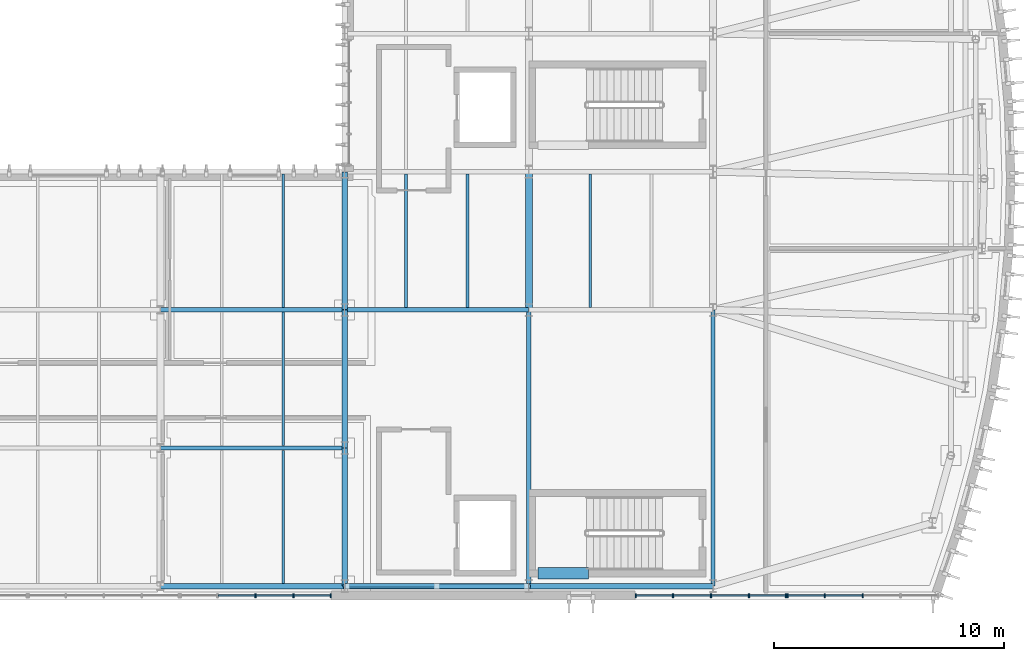
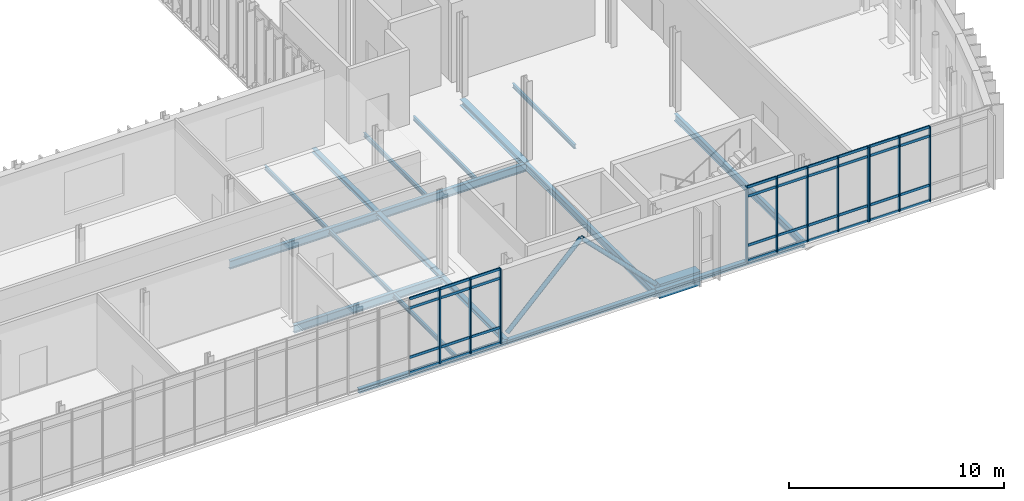
# One storey, part 43 of 100: 49 members, 19 beams, 3 elements without a shape of their own.
"""IFC4 building model written with IfcOpenShell, lengths in metres."""

from ifc_helpers import new_model, si_unit, direction, frame, origin, origin_2d, place, context, subcontext, project, spatial, rectangle, hollow_circle, i_section, extrude, material, material_profile, profile_set, type_object, element, aggregate, save


model = new_model("IFC4")

# Units and contexts
model_context = context("Model", 3, precision=1e-05, world=origin(), true_north=direction((0.0, 1.0)))
body_context = subcontext(model_context, "Body", "Model", "MODEL_VIEW")
ifc_project = project(units=[si_unit("LENGTHUNIT", "METRE"), si_unit("AREAUNIT", "SQUARE_METRE"), si_unit("VOLUMEUNIT", "CUBIC_METRE"), si_unit("PLANEANGLEUNIT", "RADIAN"), si_unit("MASSUNIT", "GRAM", prefix="KILO")], contexts=[model_context])

# Site, building, storey
site_placement = place(None, origin())
site = spatial("IfcSite", under=ifc_project, at=site_placement, CompositionType="ELEMENT")
building_placement = place(site_placement, origin())
building = spatial("IfcBuilding", under=site, at=building_placement, Name="Cymarion Research Institute", CompositionType="ELEMENT")
storey_placement = place(building_placement, frame((0.0, 0.0, 9.300048828125)))
storey = spatial("IfcBuildingStorey", under=building, at=storey_placement, Name="L02", CompositionType="ELEMENT", Elevation=9.300048828125)

# Beam
ifc_material_1 = material(Name="Concrete C40/50", Category="concrete")
ifc_material_profile_1 = material_profile(ifc_material_1, rectangle(XDim=0.5, YDim=0.800048828125, at=origin_2d()), Name="RC 500x800")
ifc_profile_set_1 = profile_set([ifc_material_profile_1], Name="Concrete C40/50")
beam_type_1 = type_object("IfcBeamType", Name="COUPLING LINTEL LN03 RC 500x800", PredefinedType="LINTEL", material=ifc_profile_set_1)
beam_1_placement = place(storey_placement, frame((147.0, 6.050048828125, -0.670166015625), z_axis=(1.0, 0.0, 0.0), x_axis=(0.0, 1.0, 0.0)))
element("IfcBeam", 1, at=beam_1_placement, inside=storey, type_object=beam_type_1, Name="L02 C1 core coupling lintel LN03", PredefinedType="LINTEL", context=body_context, shape_type="SweptSolid", body=[
    extrude(rectangle(XDim=0.5, YDim=0.800048828125, at=origin_2d()), origin(), (0.0, 0.0, 1.0), 2.199951171875),
])

# Curtain wall, members
ifc_material_2 = material(Name="Anodised aluminium unitised curtain wall with Low-E glazing", Category="aluminium")
curtain_wall_type = type_object("IfcCurtainWallType", Name="UNITISED CURTAIN WALL CW01 6590X4250", PredefinedType="NOTDEFINED", material=ifc_material_2)
curtain_wall_1_placement = place(storey_placement, origin())
curtain_wall_1 = element("IfcCurtainWall", 2, at=curtain_wall_1_placement, inside=storey, type_object=curtain_wall_type, Name="L02 V1 unitised curtain wall CW01 #64", PredefinedType="NOTDEFINED")
ifc_material_3 = material(Name="Anodised aluminium framing", Category="aluminium")
ifc_material_profile_2 = material_profile(ifc_material_3, rectangle(XDim=0.06005859375, YDim=0.179931640625, at=origin_2d()), Name="ALU MULLION 60x180")
ifc_profile_set_2 = profile_set([ifc_material_profile_2], Name="Anodised aluminium framing")
member_type_1 = type_object("IfcMemberType", Name="CURTAIN WALL MULLION ML01 60X180", PredefinedType="MULLION", material=ifc_profile_set_2)
member_1_placement = place(storey_placement, frame((134.73095703125, 5.090087890625, 0.0), z_axis=(0.0, 0.0, 1.0), x_axis=(1.0, 0.0, 0.0)))
member_1 = element("IfcMember", 3, at=member_1_placement, type_object=member_type_1, Name="CW01 mullion 3", PredefinedType="MULLION", context=body_context, shape_type="SweptSolid", body=[
    extrude(rectangle(XDim=0.06005859375, YDim=0.179931640625, at=origin_2d()), origin(), (0.0, 0.0, 1.0), 4.25),
])
member_2_placement = place(storey_placement, frame((136.37939453125, 5.090087890625, 0.0), z_axis=(0.0, 0.0, 1.0), x_axis=(1.0, 0.0, 0.0)))
member_2 = element("IfcMember", 4, at=member_2_placement, type_object=member_type_1, Name="CW01 mullion 4", PredefinedType="MULLION", context=body_context, shape_type="SweptSolid", body=[
    extrude(rectangle(XDim=0.06005859375, YDim=0.179931640625, at=origin_2d()), origin(), (0.0, 0.0, 1.0), 4.25),
])
member_3_placement = place(storey_placement, frame((137.99755859375, 5.090087890625, 0.0), z_axis=(0.0, 0.0, 1.0), x_axis=(1.0, 0.0, 0.0)))
member_3 = element("IfcMember", 5, at=member_3_placement, type_object=member_type_1, Name="CW01 mullion 5", PredefinedType="MULLION", context=body_context, shape_type="SweptSolid", body=[
    extrude(rectangle(XDim=0.06005859375, YDim=0.179931640625, at=origin_2d()), origin(), (0.0, 0.0, 1.0), 4.25),
])

curtain_wall_2_placement = place(storey_placement, origin())
curtain_wall_2 = element("IfcCurtainWall", 6, at=curtain_wall_2_placement, inside=storey, type_object=curtain_wall_type, Name="L02 V1 unitised curtain wall CW01 #65", PredefinedType="NOTDEFINED")
member_4_placement = place(storey_placement, frame((151.243896484375, 5.090087890625, 0.0), z_axis=(0.0, 0.0, 1.0), x_axis=(1.0, 0.0, 0.0)))
member_4 = element("IfcMember", 7, at=member_4_placement, type_object=member_type_1, Name="CW01 mullion 1", PredefinedType="MULLION", context=body_context, shape_type="SweptSolid", body=[
    extrude(rectangle(XDim=0.06005859375, YDim=0.179931640625, at=origin_2d()), origin(), (0.0, 0.0, 1.0), 4.25),
])
member_5_placement = place(storey_placement, frame((152.862060546875, 5.090087890625, 0.0), z_axis=(0.0, 0.0, 1.0), x_axis=(1.0, 0.0, 0.0)))
member_5 = element("IfcMember", 8, at=member_5_placement, type_object=member_type_1, Name="CW01 mullion 2", PredefinedType="MULLION", context=body_context, shape_type="SweptSolid", body=[
    extrude(rectangle(XDim=0.06005859375, YDim=0.179931640625, at=origin_2d()), origin(), (0.0, 0.0, 1.0), 4.25),
])
member_6_placement = place(storey_placement, frame((154.51025390625, 5.090087890625, 0.0), z_axis=(0.0, 0.0, 1.0), x_axis=(1.0, 0.0, 0.0)))
member_6 = element("IfcMember", 9, at=member_6_placement, type_object=member_type_1, Name="CW01 mullion 3", PredefinedType="MULLION", context=body_context, shape_type="SweptSolid", body=[
    extrude(rectangle(XDim=0.06005859375, YDim=0.179931640625, at=origin_2d()), origin(), (0.0, 0.0, 1.0), 4.25),
])
member_7_placement = place(storey_placement, frame((156.15869140625, 5.090087890625, 0.0), z_axis=(0.0, 0.0, 1.0), x_axis=(1.0, 0.0, 0.0)))
member_7 = element("IfcMember", 10, at=member_7_placement, type_object=member_type_1, Name="CW01 mullion 4", PredefinedType="MULLION", context=body_context, shape_type="SweptSolid", body=[
    extrude(rectangle(XDim=0.06005859375, YDim=0.179931640625, at=origin_2d()), origin(), (0.0, 0.0, 1.0), 4.25),
])
member_8_placement = place(storey_placement, frame((157.77685546875, 5.090087890625, 0.0), z_axis=(0.0, 0.0, 1.0), x_axis=(1.0, 0.0, 0.0)))
member_8 = element("IfcMember", 11, at=member_8_placement, type_object=member_type_1, Name="CW01 mullion 5", PredefinedType="MULLION", context=body_context, shape_type="SweptSolid", body=[
    extrude(rectangle(XDim=0.06005859375, YDim=0.179931640625, at=origin_2d()), origin(), (0.0, 0.0, 1.0), 4.25),
])

curtain_wall_3_placement = place(storey_placement, origin())
curtain_wall_3 = element("IfcCurtainWall", 12, at=curtain_wall_3_placement, inside=storey, type_object=curtain_wall_type, Name="L02 V1 unitised curtain wall CW01 #66", PredefinedType="NOTDEFINED")
member_9_placement = place(storey_placement, frame((157.8369140625, 5.090087890625, 0.0), z_axis=(0.0, 0.0, 1.0), x_axis=(1.0, 0.0, 0.0)))
member_9 = element("IfcMember", 13, at=member_9_placement, type_object=member_type_1, Name="CW01 mullion 1", PredefinedType="MULLION", context=body_context, shape_type="SweptSolid", body=[
    extrude(rectangle(XDim=0.06005859375, YDim=0.179931640625, at=origin_2d()), origin(), (0.0, 0.0, 1.0), 4.25),
])
member_10_placement = place(storey_placement, frame((159.455078125, 5.090087890625, 0.0), z_axis=(0.0, 0.0, 1.0), x_axis=(1.0, 0.0, 0.0)))
member_10 = element("IfcMember", 14, at=member_10_placement, type_object=member_type_1, Name="CW01 mullion 2", PredefinedType="MULLION", context=body_context, shape_type="SweptSolid", body=[
    extrude(rectangle(XDim=0.06005859375, YDim=0.179931640625, at=origin_2d()), origin(), (0.0, 0.0, 1.0), 4.25),
])
member_11_placement = place(storey_placement, frame((161.103515625, 5.090087890625, 0.0), z_axis=(0.0, 0.0, 1.0), x_axis=(1.0, 0.0, 0.0)))
member_11 = element("IfcMember", 15, at=member_11_placement, type_object=member_type_1, Name="CW01 mullion 3", PredefinedType="MULLION", context=body_context, shape_type="SweptSolid", body=[
    extrude(rectangle(XDim=0.06005859375, YDim=0.179931640625, at=origin_2d()), origin(), (0.0, 0.0, 1.0), 4.25),
])

# Member
ifc_material_profile_3 = material_profile(ifc_material_3, rectangle(XDim=0.06005859375, YDim=0.14990234375, at=origin_2d()), Name="ALU TRANSOM 60x150")
ifc_profile_set_3 = profile_set([ifc_material_profile_3], Name="Anodised aluminium framing")
member_type_2 = type_object("IfcMemberType", Name="CURTAIN WALL TRANSOM TR01 60X150", PredefinedType="USERDEFINED", material=ifc_profile_set_3)
member_12_placement = place(storey_placement, frame((133.11279296875, 5.090087890625, 0.030029296875), z_axis=(1.0, 0.0, 0.0), x_axis=(0.0, 1.0, 0.0)))
member_12 = element("IfcMember", 16, at=member_12_placement, type_object=member_type_2, Name="CW01 transom 2.1", ObjectType="TRANSOM", PredefinedType="USERDEFINED", context=body_context, shape_type="SweptSolid", body=[
    extrude(rectangle(XDim=0.06005859375, YDim=0.14990234375, at=origin_2d()), origin(), (0.0, 0.0, 1.0), 1.588134765625),
])

member_13_placement = place(storey_placement, frame((133.11279296875, 5.090087890625, 0.89990234375), z_axis=(1.0, 0.0, 0.0), x_axis=(0.0, 1.0, 0.0)))
member_13 = element("IfcMember", 17, at=member_13_placement, type_object=member_type_2, Name="CW01 transom 2.2", ObjectType="TRANSOM", PredefinedType="USERDEFINED", context=body_context, shape_type="SweptSolid", body=[
    extrude(rectangle(XDim=0.06005859375, YDim=0.14990234375, at=origin_2d()), origin(), (0.0, 0.0, 1.0), 1.588134765625),
])

member_14_placement = place(storey_placement, frame((133.11279296875, 5.090087890625, 3.699951171875), z_axis=(1.0, 0.0, 0.0), x_axis=(0.0, 1.0, 0.0)))
member_14 = element("IfcMember", 18, at=member_14_placement, type_object=member_type_2, Name="CW01 transom 2.3", ObjectType="TRANSOM", PredefinedType="USERDEFINED", context=body_context, shape_type="SweptSolid", body=[
    extrude(rectangle(XDim=0.06005859375, YDim=0.14990234375, at=origin_2d()), origin(), (0.0, 0.0, 1.0), 1.588134765625),
])

member_15_placement = place(storey_placement, frame((133.11279296875, 5.090087890625, 4.219970703125), z_axis=(1.0, 0.0, 0.0), x_axis=(0.0, 1.0, 0.0)))
member_15 = element("IfcMember", 19, at=member_15_placement, type_object=member_type_2, Name="CW01 transom 2.4", ObjectType="TRANSOM", PredefinedType="USERDEFINED", context=body_context, shape_type="SweptSolid", body=[
    extrude(rectangle(XDim=0.06005859375, YDim=0.14990234375, at=origin_2d()), origin(), (0.0, 0.0, 1.0), 1.588134765625),
])

member_16_placement = place(storey_placement, frame((134.760986328125, 5.090087890625, 0.030029296875), z_axis=(1.0, 0.0, 0.0), x_axis=(0.0, 1.0, 0.0)))
member_16 = element("IfcMember", 20, at=member_16_placement, type_object=member_type_2, Name="CW01 transom 3.1", ObjectType="TRANSOM", PredefinedType="USERDEFINED", context=body_context, shape_type="SweptSolid", body=[
    extrude(rectangle(XDim=0.06005859375, YDim=0.14990234375, at=origin_2d()), origin(), (0.0, 0.0, 1.0), 1.58837890625),
])

member_17_placement = place(storey_placement, frame((134.760986328125, 5.090087890625, 0.89990234375), z_axis=(1.0, 0.0, 0.0), x_axis=(0.0, 1.0, 0.0)))
member_17 = element("IfcMember", 21, at=member_17_placement, type_object=member_type_2, Name="CW01 transom 3.2", ObjectType="TRANSOM", PredefinedType="USERDEFINED", context=body_context, shape_type="SweptSolid", body=[
    extrude(rectangle(XDim=0.06005859375, YDim=0.14990234375, at=origin_2d()), origin(), (0.0, 0.0, 1.0), 1.58837890625),
])

member_18_placement = place(storey_placement, frame((134.760986328125, 5.090087890625, 3.699951171875), z_axis=(1.0, 0.0, 0.0), x_axis=(0.0, 1.0, 0.0)))
member_18 = element("IfcMember", 22, at=member_18_placement, type_object=member_type_2, Name="CW01 transom 3.3", ObjectType="TRANSOM", PredefinedType="USERDEFINED", context=body_context, shape_type="SweptSolid", body=[
    extrude(rectangle(XDim=0.06005859375, YDim=0.14990234375, at=origin_2d()), origin(), (0.0, 0.0, 1.0), 1.58837890625),
])

member_19_placement = place(storey_placement, frame((134.760986328125, 5.090087890625, 4.219970703125), z_axis=(1.0, 0.0, 0.0), x_axis=(0.0, 1.0, 0.0)))
member_19 = element("IfcMember", 23, at=member_19_placement, type_object=member_type_2, Name="CW01 transom 3.4", ObjectType="TRANSOM", PredefinedType="USERDEFINED", context=body_context, shape_type="SweptSolid", body=[
    extrude(rectangle(XDim=0.06005859375, YDim=0.14990234375, at=origin_2d()), origin(), (0.0, 0.0, 1.0), 1.58837890625),
])

member_20_placement = place(storey_placement, frame((136.4091796875, 5.090087890625, 0.030029296875), z_axis=(1.0, 0.0, 0.0), x_axis=(0.0, 1.0, 0.0)))
member_20 = element("IfcMember", 24, at=member_20_placement, type_object=member_type_2, Name="CW01 transom 4.1", ObjectType="TRANSOM", PredefinedType="USERDEFINED", context=body_context, shape_type="SweptSolid", body=[
    extrude(rectangle(XDim=0.06005859375, YDim=0.14990234375, at=origin_2d()), origin(), (0.0, 0.0, 1.0), 1.558349609375),
])

member_21_placement = place(storey_placement, frame((136.4091796875, 5.090087890625, 0.89990234375), z_axis=(1.0, 0.0, 0.0), x_axis=(0.0, 1.0, 0.0)))
member_21 = element("IfcMember", 25, at=member_21_placement, type_object=member_type_2, Name="CW01 transom 4.2", ObjectType="TRANSOM", PredefinedType="USERDEFINED", context=body_context, shape_type="SweptSolid", body=[
    extrude(rectangle(XDim=0.06005859375, YDim=0.14990234375, at=origin_2d()), origin(), (0.0, 0.0, 1.0), 1.558349609375),
])

member_22_placement = place(storey_placement, frame((136.4091796875, 5.090087890625, 3.699951171875), z_axis=(1.0, 0.0, 0.0), x_axis=(0.0, 1.0, 0.0)))
member_22 = element("IfcMember", 26, at=member_22_placement, type_object=member_type_2, Name="CW01 transom 4.3", ObjectType="TRANSOM", PredefinedType="USERDEFINED", context=body_context, shape_type="SweptSolid", body=[
    extrude(rectangle(XDim=0.06005859375, YDim=0.14990234375, at=origin_2d()), origin(), (0.0, 0.0, 1.0), 1.558349609375),
])

member_23_placement = place(storey_placement, frame((136.4091796875, 5.090087890625, 4.219970703125), z_axis=(1.0, 0.0, 0.0), x_axis=(0.0, 1.0, 0.0)))
member_23 = element("IfcMember", 27, at=member_23_placement, type_object=member_type_2, Name="CW01 transom 4.4", ObjectType="TRANSOM", PredefinedType="USERDEFINED", context=body_context, shape_type="SweptSolid", body=[
    extrude(rectangle(XDim=0.06005859375, YDim=0.14990234375, at=origin_2d()), origin(), (0.0, 0.0, 1.0), 1.558349609375),
])

aggregate(curtain_wall_1, [member_1, member_2, member_3, member_12, member_13, member_14, member_15, member_16, member_17, member_18, member_19, member_20, member_21, member_22, member_23])

member_24_placement = place(storey_placement, frame((151.273681640625, 5.090087890625, 0.030029296875), z_axis=(1.0, 0.0, 0.0), x_axis=(0.0, 1.0, 0.0)))
member_24 = element("IfcMember", 28, at=member_24_placement, type_object=member_type_2, Name="CW01 transom 1.1", ObjectType="TRANSOM", PredefinedType="USERDEFINED", context=body_context, shape_type="SweptSolid", body=[
    extrude(rectangle(XDim=0.06005859375, YDim=0.14990234375, at=origin_2d()), origin(), (0.0, 0.0, 1.0), 1.558349609375),
])

member_25_placement = place(storey_placement, frame((151.273681640625, 5.090087890625, 0.89990234375), z_axis=(1.0, 0.0, 0.0), x_axis=(0.0, 1.0, 0.0)))
member_25 = element("IfcMember", 29, at=member_25_placement, type_object=member_type_2, Name="CW01 transom 1.2", ObjectType="TRANSOM", PredefinedType="USERDEFINED", context=body_context, shape_type="SweptSolid", body=[
    extrude(rectangle(XDim=0.06005859375, YDim=0.14990234375, at=origin_2d()), origin(), (0.0, 0.0, 1.0), 1.558349609375),
])

member_26_placement = place(storey_placement, frame((151.273681640625, 5.090087890625, 3.699951171875), z_axis=(1.0, 0.0, 0.0), x_axis=(0.0, 1.0, 0.0)))
member_26 = element("IfcMember", 30, at=member_26_placement, type_object=member_type_2, Name="CW01 transom 1.3", ObjectType="TRANSOM", PredefinedType="USERDEFINED", context=body_context, shape_type="SweptSolid", body=[
    extrude(rectangle(XDim=0.06005859375, YDim=0.14990234375, at=origin_2d()), origin(), (0.0, 0.0, 1.0), 1.558349609375),
])

member_27_placement = place(storey_placement, frame((151.273681640625, 5.090087890625, 4.219970703125), z_axis=(1.0, 0.0, 0.0), x_axis=(0.0, 1.0, 0.0)))
member_27 = element("IfcMember", 31, at=member_27_placement, type_object=member_type_2, Name="CW01 transom 1.4", ObjectType="TRANSOM", PredefinedType="USERDEFINED", context=body_context, shape_type="SweptSolid", body=[
    extrude(rectangle(XDim=0.06005859375, YDim=0.14990234375, at=origin_2d()), origin(), (0.0, 0.0, 1.0), 1.558349609375),
])

member_28_placement = place(storey_placement, frame((152.89208984375, 5.090087890625, 0.030029296875), z_axis=(1.0, 0.0, 0.0), x_axis=(0.0, 1.0, 0.0)))
member_28 = element("IfcMember", 32, at=member_28_placement, type_object=member_type_2, Name="CW01 transom 2.1", ObjectType="TRANSOM", PredefinedType="USERDEFINED", context=body_context, shape_type="SweptSolid", body=[
    extrude(rectangle(XDim=0.06005859375, YDim=0.14990234375, at=origin_2d()), origin(), (0.0, 0.0, 1.0), 1.58837890625),
])

member_29_placement = place(storey_placement, frame((152.89208984375, 5.090087890625, 0.89990234375), z_axis=(1.0, 0.0, 0.0), x_axis=(0.0, 1.0, 0.0)))
member_29 = element("IfcMember", 33, at=member_29_placement, type_object=member_type_2, Name="CW01 transom 2.2", ObjectType="TRANSOM", PredefinedType="USERDEFINED", context=body_context, shape_type="SweptSolid", body=[
    extrude(rectangle(XDim=0.06005859375, YDim=0.14990234375, at=origin_2d()), origin(), (0.0, 0.0, 1.0), 1.58837890625),
])

member_30_placement = place(storey_placement, frame((152.89208984375, 5.090087890625, 3.699951171875), z_axis=(1.0, 0.0, 0.0), x_axis=(0.0, 1.0, 0.0)))
member_30 = element("IfcMember", 34, at=member_30_placement, type_object=member_type_2, Name="CW01 transom 2.3", ObjectType="TRANSOM", PredefinedType="USERDEFINED", context=body_context, shape_type="SweptSolid", body=[
    extrude(rectangle(XDim=0.06005859375, YDim=0.14990234375, at=origin_2d()), origin(), (0.0, 0.0, 1.0), 1.58837890625),
])

member_31_placement = place(storey_placement, frame((152.89208984375, 5.090087890625, 4.219970703125), z_axis=(1.0, 0.0, 0.0), x_axis=(0.0, 1.0, 0.0)))
member_31 = element("IfcMember", 35, at=member_31_placement, type_object=member_type_2, Name="CW01 transom 2.4", ObjectType="TRANSOM", PredefinedType="USERDEFINED", context=body_context, shape_type="SweptSolid", body=[
    extrude(rectangle(XDim=0.06005859375, YDim=0.14990234375, at=origin_2d()), origin(), (0.0, 0.0, 1.0), 1.58837890625),
])

member_32_placement = place(storey_placement, frame((154.540283203125, 5.090087890625, 0.030029296875), z_axis=(1.0, 0.0, 0.0), x_axis=(0.0, 1.0, 0.0)))
member_32 = element("IfcMember", 36, at=member_32_placement, type_object=member_type_2, Name="CW01 transom 3.1", ObjectType="TRANSOM", PredefinedType="USERDEFINED", context=body_context, shape_type="SweptSolid", body=[
    extrude(rectangle(XDim=0.06005859375, YDim=0.14990234375, at=origin_2d()), origin(), (0.0, 0.0, 1.0), 1.58837890625),
])

member_33_placement = place(storey_placement, frame((154.540283203125, 5.090087890625, 0.89990234375), z_axis=(1.0, 0.0, 0.0), x_axis=(0.0, 1.0, 0.0)))
member_33 = element("IfcMember", 37, at=member_33_placement, type_object=member_type_2, Name="CW01 transom 3.2", ObjectType="TRANSOM", PredefinedType="USERDEFINED", context=body_context, shape_type="SweptSolid", body=[
    extrude(rectangle(XDim=0.06005859375, YDim=0.14990234375, at=origin_2d()), origin(), (0.0, 0.0, 1.0), 1.58837890625),
])

member_34_placement = place(storey_placement, frame((154.540283203125, 5.090087890625, 3.699951171875), z_axis=(1.0, 0.0, 0.0), x_axis=(0.0, 1.0, 0.0)))
member_34 = element("IfcMember", 38, at=member_34_placement, type_object=member_type_2, Name="CW01 transom 3.3", ObjectType="TRANSOM", PredefinedType="USERDEFINED", context=body_context, shape_type="SweptSolid", body=[
    extrude(rectangle(XDim=0.06005859375, YDim=0.14990234375, at=origin_2d()), origin(), (0.0, 0.0, 1.0), 1.58837890625),
])

member_35_placement = place(storey_placement, frame((154.540283203125, 5.090087890625, 4.219970703125), z_axis=(1.0, 0.0, 0.0), x_axis=(0.0, 1.0, 0.0)))
member_35 = element("IfcMember", 39, at=member_35_placement, type_object=member_type_2, Name="CW01 transom 3.4", ObjectType="TRANSOM", PredefinedType="USERDEFINED", context=body_context, shape_type="SweptSolid", body=[
    extrude(rectangle(XDim=0.06005859375, YDim=0.14990234375, at=origin_2d()), origin(), (0.0, 0.0, 1.0), 1.58837890625),
])

member_36_placement = place(storey_placement, frame((156.188720703125, 5.090087890625, 0.030029296875), z_axis=(1.0, 0.0, 0.0), x_axis=(0.0, 1.0, 0.0)))
member_36 = element("IfcMember", 40, at=member_36_placement, type_object=member_type_2, Name="CW01 transom 4.1", ObjectType="TRANSOM", PredefinedType="USERDEFINED", context=body_context, shape_type="SweptSolid", body=[
    extrude(rectangle(XDim=0.06005859375, YDim=0.14990234375, at=origin_2d()), origin(), (0.0, 0.0, 1.0), 1.55810546875),
])

member_37_placement = place(storey_placement, frame((156.188720703125, 5.090087890625, 0.89990234375), z_axis=(1.0, 0.0, 0.0), x_axis=(0.0, 1.0, 0.0)))
member_37 = element("IfcMember", 41, at=member_37_placement, type_object=member_type_2, Name="CW01 transom 4.2", ObjectType="TRANSOM", PredefinedType="USERDEFINED", context=body_context, shape_type="SweptSolid", body=[
    extrude(rectangle(XDim=0.06005859375, YDim=0.14990234375, at=origin_2d()), origin(), (0.0, 0.0, 1.0), 1.55810546875),
])

member_38_placement = place(storey_placement, frame((156.188720703125, 5.090087890625, 3.699951171875), z_axis=(1.0, 0.0, 0.0), x_axis=(0.0, 1.0, 0.0)))
member_38 = element("IfcMember", 42, at=member_38_placement, type_object=member_type_2, Name="CW01 transom 4.3", ObjectType="TRANSOM", PredefinedType="USERDEFINED", context=body_context, shape_type="SweptSolid", body=[
    extrude(rectangle(XDim=0.06005859375, YDim=0.14990234375, at=origin_2d()), origin(), (0.0, 0.0, 1.0), 1.55810546875),
])

member_39_placement = place(storey_placement, frame((156.188720703125, 5.090087890625, 4.219970703125), z_axis=(1.0, 0.0, 0.0), x_axis=(0.0, 1.0, 0.0)))
member_39 = element("IfcMember", 43, at=member_39_placement, type_object=member_type_2, Name="CW01 transom 4.4", ObjectType="TRANSOM", PredefinedType="USERDEFINED", context=body_context, shape_type="SweptSolid", body=[
    extrude(rectangle(XDim=0.06005859375, YDim=0.14990234375, at=origin_2d()), origin(), (0.0, 0.0, 1.0), 1.55810546875),
])

aggregate(curtain_wall_2, [member_4, member_5, member_6, member_7, member_8, member_24, member_25, member_26, member_27, member_28, member_29, member_30, member_31, member_32, member_33, member_34, member_35, member_36, member_37, member_38, member_39])

member_40_placement = place(storey_placement, frame((157.866943359375, 5.090087890625, 0.030029296875), z_axis=(1.0, 0.0, 0.0), x_axis=(0.0, 1.0, 0.0)))
member_40 = element("IfcMember", 44, at=member_40_placement, type_object=member_type_2, Name="CW01 transom 1.1", ObjectType="TRANSOM", PredefinedType="USERDEFINED", context=body_context, shape_type="SweptSolid", body=[
    extrude(rectangle(XDim=0.06005859375, YDim=0.14990234375, at=origin_2d()), origin(), (0.0, 0.0, 1.0), 1.558349609375),
])

member_41_placement = place(storey_placement, frame((157.866943359375, 5.090087890625, 0.89990234375), z_axis=(1.0, 0.0, 0.0), x_axis=(0.0, 1.0, 0.0)))
member_41 = element("IfcMember", 45, at=member_41_placement, type_object=member_type_2, Name="CW01 transom 1.2", ObjectType="TRANSOM", PredefinedType="USERDEFINED", context=body_context, shape_type="SweptSolid", body=[
    extrude(rectangle(XDim=0.06005859375, YDim=0.14990234375, at=origin_2d()), origin(), (0.0, 0.0, 1.0), 1.558349609375),
])

member_42_placement = place(storey_placement, frame((157.866943359375, 5.090087890625, 3.699951171875), z_axis=(1.0, 0.0, 0.0), x_axis=(0.0, 1.0, 0.0)))
member_42 = element("IfcMember", 46, at=member_42_placement, type_object=member_type_2, Name="CW01 transom 1.3", ObjectType="TRANSOM", PredefinedType="USERDEFINED", context=body_context, shape_type="SweptSolid", body=[
    extrude(rectangle(XDim=0.06005859375, YDim=0.14990234375, at=origin_2d()), origin(), (0.0, 0.0, 1.0), 1.558349609375),
])

member_43_placement = place(storey_placement, frame((157.866943359375, 5.090087890625, 4.219970703125), z_axis=(1.0, 0.0, 0.0), x_axis=(0.0, 1.0, 0.0)))
member_43 = element("IfcMember", 47, at=member_43_placement, type_object=member_type_2, Name="CW01 transom 1.4", ObjectType="TRANSOM", PredefinedType="USERDEFINED", context=body_context, shape_type="SweptSolid", body=[
    extrude(rectangle(XDim=0.06005859375, YDim=0.14990234375, at=origin_2d()), origin(), (0.0, 0.0, 1.0), 1.558349609375),
])

member_44_placement = place(storey_placement, frame((159.485107421875, 5.090087890625, 0.030029296875), z_axis=(1.0, 0.0, 0.0), x_axis=(0.0, 1.0, 0.0)))
member_44 = element("IfcMember", 48, at=member_44_placement, type_object=member_type_2, Name="CW01 transom 2.1", ObjectType="TRANSOM", PredefinedType="USERDEFINED", context=body_context, shape_type="SweptSolid", body=[
    extrude(rectangle(XDim=0.06005859375, YDim=0.14990234375, at=origin_2d()), origin(), (0.0, 0.0, 1.0), 1.58837890625),
])

member_45_placement = place(storey_placement, frame((159.485107421875, 5.090087890625, 0.89990234375), z_axis=(1.0, 0.0, 0.0), x_axis=(0.0, 1.0, 0.0)))
member_45 = element("IfcMember", 49, at=member_45_placement, type_object=member_type_2, Name="CW01 transom 2.2", ObjectType="TRANSOM", PredefinedType="USERDEFINED", context=body_context, shape_type="SweptSolid", body=[
    extrude(rectangle(XDim=0.06005859375, YDim=0.14990234375, at=origin_2d()), origin(), (0.0, 0.0, 1.0), 1.58837890625),
])

member_46_placement = place(storey_placement, frame((159.485107421875, 5.090087890625, 3.699951171875), z_axis=(1.0, 0.0, 0.0), x_axis=(0.0, 1.0, 0.0)))
member_46 = element("IfcMember", 50, at=member_46_placement, type_object=member_type_2, Name="CW01 transom 2.3", ObjectType="TRANSOM", PredefinedType="USERDEFINED", context=body_context, shape_type="SweptSolid", body=[
    extrude(rectangle(XDim=0.06005859375, YDim=0.14990234375, at=origin_2d()), origin(), (0.0, 0.0, 1.0), 1.58837890625),
])

member_47_placement = place(storey_placement, frame((159.485107421875, 5.090087890625, 4.219970703125), z_axis=(1.0, 0.0, 0.0), x_axis=(0.0, 1.0, 0.0)))
member_47 = element("IfcMember", 51, at=member_47_placement, type_object=member_type_2, Name="CW01 transom 2.4", ObjectType="TRANSOM", PredefinedType="USERDEFINED", context=body_context, shape_type="SweptSolid", body=[
    extrude(rectangle(XDim=0.06005859375, YDim=0.14990234375, at=origin_2d()), origin(), (0.0, 0.0, 1.0), 1.58837890625),
])

aggregate(curtain_wall_3, [member_9, member_10, member_11, member_40, member_41, member_42, member_43, member_44, member_45, member_46, member_47])

# Beams
ifc_material_4 = material(Name="Steel S355", Category="steel")
ifc_material_profile_4 = material_profile(ifc_material_4, i_section(OverallWidth=0.18994140625, OverallDepth=0.449951171875, WebThickness=0.009521484375, FlangeThickness=0.0146484375, FilletRadius=0.02099609375, at=origin_2d()), Name="IPE 450")
ifc_profile_set_4 = profile_set([ifc_material_profile_4], Name="Steel S355")
beam_type_2 = type_object("IfcBeamType", Name="PRIMARY GIRDER BM04 IPE 450", PredefinedType="BEAM", material=ifc_profile_set_4)
for number, where, z_axis, x_axis, name in (
    (52, (130.60595703125, 11.5, -0.47509765625), (1.0, 0.0, 0.0), (0.0, 1.0, 0.0), "L02 V1 girder BM04 #770"),
    (53, (130.60595703125, 17.5, -0.47509765625), (1.0, 0.0, 0.0), (0.0, 1.0, 0.0), "L02 V1 girder BM04 #774"),
    (54, (138.60595703125, 17.5, -0.47509765625), (1.0, 0.0, 0.0), (0.0, 1.0, 0.0), "L02 V1 girder BM04 #775"),
):
    element("IfcBeam", number, at=place(storey_placement, frame(where, z_axis=z_axis, x_axis=x_axis)), inside=storey, type_object=beam_type_2, Name=name, PredefinedType="BEAM", context=body_context, shape_type="SweptSolid", body=[
        extrude(i_section(OverallWidth=0.18994140625, OverallDepth=0.449951171875, WebThickness=0.009521484375, FlangeThickness=0.0146484375, FilletRadius=0.02099609375, at=origin_2d()), origin(), (0.0, 0.0, 1.0), 7.988037109375),
    ])
ifc_material_profile_5 = material_profile(ifc_material_4, i_section(OverallWidth=0.179931640625, OverallDepth=0.39990234375, WebThickness=0.008544921875, FlangeThickness=0.013427734375, FilletRadius=0.02099609375, at=origin_2d()), Name="IPE 400")
ifc_profile_set_5 = profile_set([ifc_material_profile_5], Name="Steel S355")
beam_type_3 = type_object("IfcBeamType", Name="PRIMARY GIRDER BM05 IPE 400", PredefinedType="BEAM", material=ifc_profile_set_5)
for number, where, z_axis, x_axis, name in (
    (55, (146.60009765625, 5.506103515625, -0.449951171875), (0.0, 1.0, 0.0), (-1.0, 0.0, 0.0), "L02 V1 girder BM05 #807"),
    (56, (154.60009765625, 5.506103515625, -0.449951171875), (0.0, 1.0, 0.0), (-1.0, 0.0, 0.0), "L02 V1 girder BM05 #812"),
):
    element("IfcBeam", number, at=place(storey_placement, frame(where, z_axis=z_axis, x_axis=x_axis)), inside=storey, type_object=beam_type_3, Name=name, PredefinedType="BEAM", context=body_context, shape_type="SweptSolid", body=[
        extrude(i_section(OverallWidth=0.179931640625, OverallDepth=0.39990234375, WebThickness=0.008544921875, FlangeThickness=0.013427734375, FilletRadius=0.02099609375, at=origin_2d()), origin(), (0.0, 0.0, 1.0), 11.98779296875),
    ])
ifc_material_profile_6 = material_profile(ifc_material_4, i_section(OverallWidth=0.300048828125, OverallDepth=0.35009765625, WebThickness=0.010009765625, FlangeThickness=0.017578125, FilletRadius=0.027099609375, at=origin_2d()), Name="HEA 360")
ifc_profile_set_6 = profile_set([ifc_material_profile_6], Name="Steel S355")
beam_type_4 = type_object("IfcBeamType", Name="PRIMARY GIRDER BM12 HEA 360", PredefinedType="BEAM", material=ifc_profile_set_6)
beam_2_placement = place(storey_placement, frame((146.60009765625, 17.506103515625, -0.425048828125), z_axis=(0.0, 1.0, 0.0), x_axis=(-1.0, 0.0, 0.0)))
element("IfcBeam", 57, at=beam_2_placement, inside=storey, type_object=beam_type_4, Name="L02 V1 girder BM12 #808", PredefinedType="BEAM", context=body_context, shape_type="SweptSolid", body=[
    extrude(i_section(OverallWidth=0.300048828125, OverallDepth=0.35009765625, WebThickness=0.010009765625, FlangeThickness=0.017578125, FilletRadius=0.027099609375, at=origin_2d()), origin(), (0.0, 0.0, 1.0), 5.98779296875),
])
ifc_material_profile_7 = material_profile(ifc_material_4, i_section(OverallWidth=0.1201171875, OverallDepth=0.239990234375, WebThickness=0.006103515625, FlangeThickness=0.009765625, FilletRadius=0.014892578125, at=origin_2d()), Name="IPE 240")
ifc_profile_set_7 = profile_set([ifc_material_profile_7], Name="Steel S355")
beam_type_5 = type_object("IfcBeamType", Name="SECONDARY JOIST JS04 IPE 240", PredefinedType="JOIST", material=ifc_profile_set_7)
beam_3_placement = place(storey_placement, frame((135.933349609375, 5.6240234375, -0.3701171875), z_axis=(0.0, 1.0, 0.0), x_axis=(-1.0, 0.0, 0.0)))
element("IfcBeam", 58, at=beam_3_placement, inside=storey, type_object=beam_type_5, Name="L02 V1 secondary joist JS04 #841", PredefinedType="JOIST", context=body_context, shape_type="SweptSolid", body=[
    extrude(i_section(OverallWidth=0.1201171875, OverallDepth=0.239990234375, WebThickness=0.006103515625, FlangeThickness=0.009765625, FilletRadius=0.014892578125, at=origin_2d()), origin(), (0.0, 0.0, 1.0), 5.77685546875),
])
for number, where, z_axis, x_axis, name in (
    (59, (135.933349609375, 11.59912109375, -0.3701171875), (0.0, 1.0, 0.0), (-1.0, 0.0, 0.0), "L02 V1 secondary joist JS04 #849"),
    (60, (135.933349609375, 17.59912109375, -0.3701171875), (0.0, 1.0, 0.0), (-1.0, 0.0, 0.0), "L02 V1 secondary joist JS04 #857"),
    (61, (141.2666015625, 17.59912109375, -0.3701171875), (0.0, 1.0, 0.0), (-1.0, 0.0, 0.0), "L02 V1 secondary joist JS04 #858"),
    (62, (143.933349609375, 17.59912109375, -0.3701171875), (0.0, 1.0, 0.0), (-1.0, 0.0, 0.0), "L02 V1 secondary joist JS04 #859"),
    (63, (149.2666015625, 17.59912109375, -0.3701171875), (0.0, 1.0, 0.0), (-1.0, 0.0, 0.0), "L02 V1 secondary joist JS04 #860"),
):
    element("IfcBeam", number, at=place(storey_placement, frame(where, z_axis=z_axis, x_axis=x_axis)), inside=storey, type_object=beam_type_5, Name=name, PredefinedType="JOIST", context=body_context, shape_type="SweptSolid", body=[
        extrude(i_section(OverallWidth=0.1201171875, OverallDepth=0.239990234375, WebThickness=0.006103515625, FlangeThickness=0.009765625, FilletRadius=0.014892578125, at=origin_2d()), origin(), (0.0, 0.0, 1.0), 5.8017578125),
    ])
ifc_material_profile_8 = material_profile(ifc_material_4, i_section(OverallWidth=0.239990234375, OverallDepth=0.22998046875, WebThickness=0.007568359375, FlangeThickness=0.011962890625, FilletRadius=0.02099609375, at=origin_2d()), Name="HEA 240")
ifc_profile_set_8 = profile_set([ifc_material_profile_8], Name="Steel S355")
beam_type_6 = type_object("IfcBeamType", Name="SPANDREL BEAM SPB03 HEA 240", PredefinedType="SPANDREL", material=ifc_profile_set_8)
for number, where, z_axis, x_axis, name in (
    (64, (130.60595703125, 5.5, -0.364990234375), (1.0, 0.0, 0.0), (0.0, 1.0, 0.0), "L02 V1 girder SPB03 #764"),
    (65, (138.60595703125, 5.5, -0.364990234375), (1.0, 0.0, 0.0), (0.0, 1.0, 0.0), "L02 V1 girder SPB03 #765"),
    (66, (146.60595703125, 5.5, -0.364990234375), (1.0, 0.0, 0.0), (0.0, 1.0, 0.0), "L02 V1 girder SPB03 #766"),
):
    element("IfcBeam", number, at=place(storey_placement, frame(where, z_axis=z_axis, x_axis=x_axis)), inside=storey, type_object=beam_type_6, Name=name, PredefinedType="SPANDREL", context=body_context, shape_type="SweptSolid", body=[
        extrude(i_section(OverallWidth=0.239990234375, OverallDepth=0.22998046875, WebThickness=0.007568359375, FlangeThickness=0.011962890625, FilletRadius=0.02099609375, at=origin_2d()), origin(), (0.0, 0.0, 1.0), 7.988037109375),
    ])
for number, where, z_axis, x_axis, name in (
    (67, (138.60009765625, 5.506103515625, -0.364990234375), (0.0, 1.0, 0.0), (-1.0, 0.0, 0.0), "L02 V1 girder SPB03 #801"),
    (68, (138.60009765625, 11.506103515625, -0.364990234375), (0.0, 1.0, 0.0), (-1.0, 0.0, 0.0), "L02 V1 girder SPB03 #802"),
    (69, (138.60009765625, 17.506103515625, -0.364990234375), (0.0, 1.0, 0.0), (-1.0, 0.0, 0.0), "L02 V1 girder SPB03 #803"),
):
    element("IfcBeam", number, at=place(storey_placement, frame(where, z_axis=z_axis, x_axis=x_axis)), inside=storey, type_object=beam_type_6, Name=name, PredefinedType="SPANDREL", context=body_context, shape_type="SweptSolid", body=[
        extrude(i_section(OverallWidth=0.239990234375, OverallDepth=0.22998046875, WebThickness=0.007568359375, FlangeThickness=0.011962890625, FilletRadius=0.02099609375, at=origin_2d()), origin(), (0.0, 0.0, 1.0), 5.98779296875),
    ])

# Members
ifc_material_profile_9 = material_profile(ifc_material_4, hollow_circle(Radius=0.122314453125, WallThickness=0.012451171875, at=origin_2d()), Name="CHS 244.5x12.5")
ifc_profile_set_9 = profile_set([ifc_material_profile_9], Name="Steel S355")
member_type_3 = type_object("IfcMemberType", Name="STRUCTURAL MEMBER BR03 CHS 244.5x12.5", PredefinedType="BRACE", material=ifc_profile_set_9)
member_48_placement = place(storey_placement, frame((138.6142578125, 5.5, 0.119873046875), z_axis=(0.70610954467, 0.0, 0.708102613275), x_axis=(0.0, 1.0, 0.0)))
element("IfcMember", 70, at=member_48_placement, inside=storey, type_object=member_type_3, Name="L02 V1 seismic chevron brace BR03 #1", PredefinedType="BRACE", context=body_context, shape_type="SweptSolid", body=[
    extrude(hollow_circle(Radius=0.122314453125, WallThickness=0.012451171875, at=origin_2d()), origin(), (0.0, 0.0, 1.0), 5.634765625),
])
member_49_placement = place(storey_placement, frame((146.585693359375, 5.5, 0.119873046875), z_axis=(-0.706087818821, 0.0, 0.708124277307), x_axis=(0.0, -1.0, 0.0)))
element("IfcMember", 71, at=member_49_placement, inside=storey, type_object=member_type_3, Name="L02 V1 seismic chevron brace BR03 #2", PredefinedType="BRACE", context=body_context, shape_type="SweptSolid", body=[
    extrude(hollow_circle(Radius=0.122314453125, WallThickness=0.012451171875, at=origin_2d()), origin(), (0.0, 0.0, 1.0), 5.634521484375),
])

save(model, "model.ifc")
